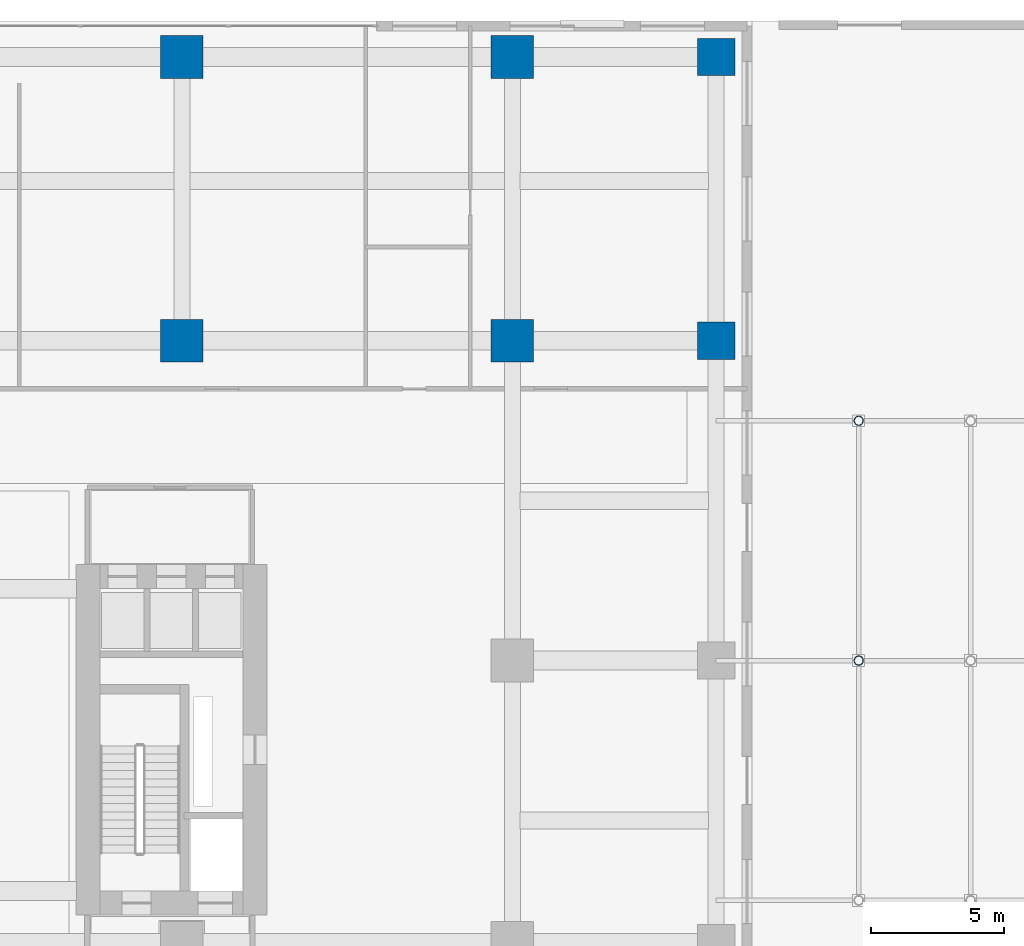
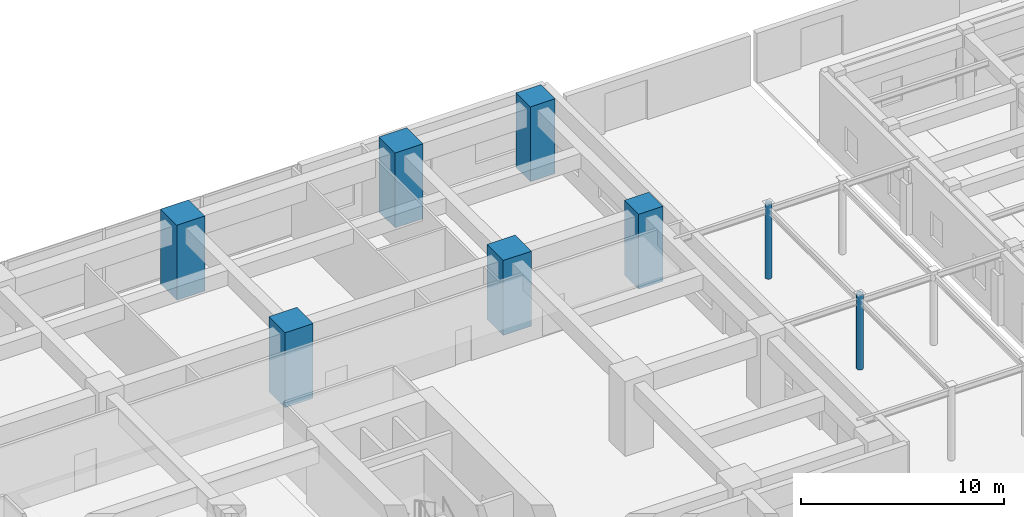
# One storey, part 4 of 39: 8 columns.
"""IFC4 building model written with IfcOpenShell, lengths in metres."""

from ifc_helpers import new_model, si_unit, direction, frame, origin, origin_2d, place, context, subcontext, project, spatial, rectangle, hollow_circle, extrude, source, transform, mapped, material, material_profile, profile_set, type_object, element, save


model = new_model("IFC4")

# Units and contexts
model_context = context("Model", 3, precision=1e-05, world=origin(), true_north=direction((0.0, 1.0)))
body_context = subcontext(model_context, "Body", "Model", "MODEL_VIEW")
ifc_project = project(units=[si_unit("LENGTHUNIT", "METRE"), si_unit("AREAUNIT", "SQUARE_METRE"), si_unit("VOLUMEUNIT", "CUBIC_METRE"), si_unit("PLANEANGLEUNIT", "RADIAN"), si_unit("MASSUNIT", "GRAM", prefix="KILO")], contexts=[model_context])

# Site, building, storey
site_placement = place(None, origin())
site = spatial("IfcSite", under=ifc_project, at=site_placement, CompositionType="ELEMENT")
building_placement = place(site_placement, origin())
building = spatial("IfcBuilding", under=site, at=building_placement, Name="Khoralis Quay Care Tower", CompositionType="ELEMENT")
storey_placement = place(building_placement, origin())
storey = spatial("IfcBuildingStorey", under=building, at=storey_placement, Name="L00", CompositionType="ELEMENT", Elevation=0.0)

# Columns
ifc_material_1 = material(Name="Steel S355", Category="steel")
ifc_material_profile_1 = material_profile(ifc_material_1, hollow_circle(Radius=0.177734375, WallThickness=0.01611328125, at=origin_2d()), Name="Steel S355")
ifc_profile_set_1 = profile_set([ifc_material_profile_1], Name="Steel S355")
column_type_1 = type_object("IfcColumnType", Name="COL-CN-CHS355", PredefinedType="COLUMN", material=ifc_profile_set_1)
shared_shape_1 = source(origin(), body_context, "Body", "SweptSolid", [
    extrude(hollow_circle(Radius=0.177734375, WallThickness=0.01611328125, at=origin_2d()), origin(), (0.0, 0.0, 1.0), 4.5),
])
for number, where, z_axis, x_axis, name in (
    (1, (60.0, 24.0, 0.0), (0.0, 0.0, 1.0), (1.0, 0.0, 0.0), "COL-L00-CAN-02"),
    (2, (60.0, 33.0, 0.0), (0.0, 0.0, 1.0), (1.0, 0.0, 0.0), "COL-L00-CAN-03"),
):
    element("IfcColumn", number, at=place(storey_placement, frame(where, z_axis=z_axis, x_axis=x_axis)), inside=storey, type_object=column_type_1, Name=name, PredefinedType="COLUMN", context=body_context, shape_type="MappedRepresentation", body=[
        mapped(shared_shape_1, transform((0.0, 0.0, 0.0), scale=1.0)),
    ])
ifc_material_2 = material(Name="Concrete C80/95", Category="concrete")
ifc_material_profile_2 = material_profile(ifc_material_2, rectangle(XDim=1.39990234375, YDim=1.39990234375, at=origin_2d()), Name="Concrete C80/95")
ifc_profile_set_2 = profile_set([ifc_material_profile_2], Name="Concrete C80/95")
column_type_2 = type_object("IfcColumnType", Name="COL-MC1400", PredefinedType="COLUMN", material=ifc_profile_set_2)
shared_shape_2 = source(origin(), body_context, "Body", "SweptSolid", [
    extrude(rectangle(XDim=1.39990234375, YDim=1.39990234375, at=origin_2d()), origin(), (0.0, 0.0, 1.0), 4.5),
])
for number, where, z_axis, x_axis, name in (
    (3, (54.64990234375, 36.0, 0.0), (0.0, 0.0, 1.0), (1.0, 0.0, 0.0), "L00 Mega column COL-POD-L00-30"),
    (4, (54.64990234375, 46.64990234375, 0.0), (0.0, 0.0, 1.0), (1.0, 0.0, 0.0), "L00 Mega column COL-POD-L00-31"),
):
    element("IfcColumn", number, at=place(storey_placement, frame(where, z_axis=z_axis, x_axis=x_axis)), inside=storey, type_object=column_type_2, Name=name, PredefinedType="COLUMN", context=body_context, shape_type="MappedRepresentation", body=[
        mapped(shared_shape_2, transform((0.0, 0.0, 0.0), scale=1.0)),
    ])
ifc_material_profile_3 = material_profile(ifc_material_2, rectangle(XDim=1.60009765625, YDim=1.60009765625, at=origin_2d()), Name="Concrete C80/95")
ifc_profile_set_3 = profile_set([ifc_material_profile_3], Name="Concrete C80/95")
column_type_3 = type_object("IfcColumnType", Name="COL-MC1600", PredefinedType="COLUMN", material=ifc_profile_set_3)
shared_shape_3 = source(origin(), body_context, "Body", "SweptSolid", [
    extrude(rectangle(XDim=1.60009765625, YDim=1.60009765625, at=origin_2d()), origin(), (0.0, 0.0, 1.0), 4.5),
])
for number, where, z_axis, x_axis, name in (
    (5, (34.60009765625, 36.0, 0.0), (0.0, 0.0, 1.0), (1.0, 0.0, 0.0), "L00 Mega column COL-POD-L00-21"),
    (6, (34.60009765625, 46.64990234375, 0.0), (0.0, 0.0, 1.0), (1.0, 0.0, 0.0), "L00 Mega column COL-POD-L00-22"),
    (7, (47.0, 36.0, 0.0), (0.0, 0.0, 1.0), (1.0, 0.0, 0.0), "L00 Mega column COL-POD-L00-26"),
    (8, (47.0, 46.64990234375, 0.0), (0.0, 0.0, 1.0), (1.0, 0.0, 0.0), "L00 Mega column COL-POD-L00-27"),
):
    element("IfcColumn", number, at=place(storey_placement, frame(where, z_axis=z_axis, x_axis=x_axis)), inside=storey, type_object=column_type_3, Name=name, PredefinedType="COLUMN", context=body_context, shape_type="MappedRepresentation", body=[
        mapped(shared_shape_3, transform((0.0, 0.0, 0.0), scale=1.0)),
    ])

save(model, "model.ifc")
